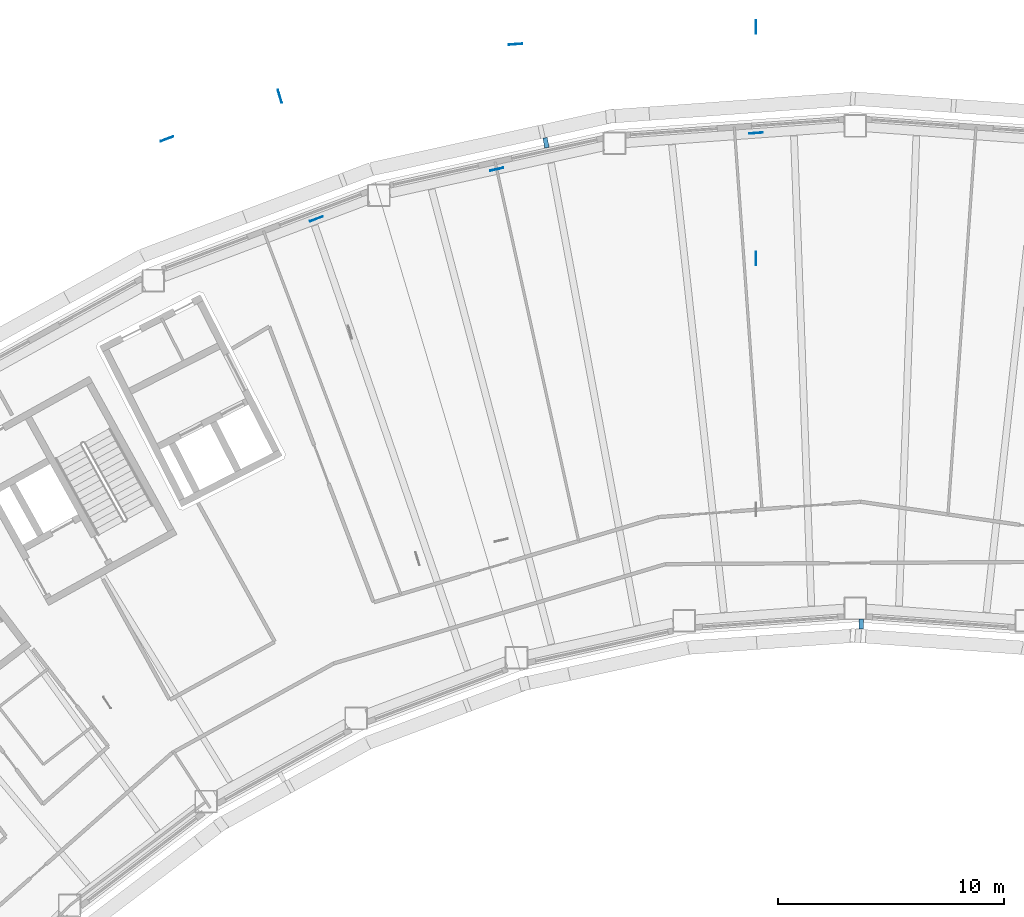
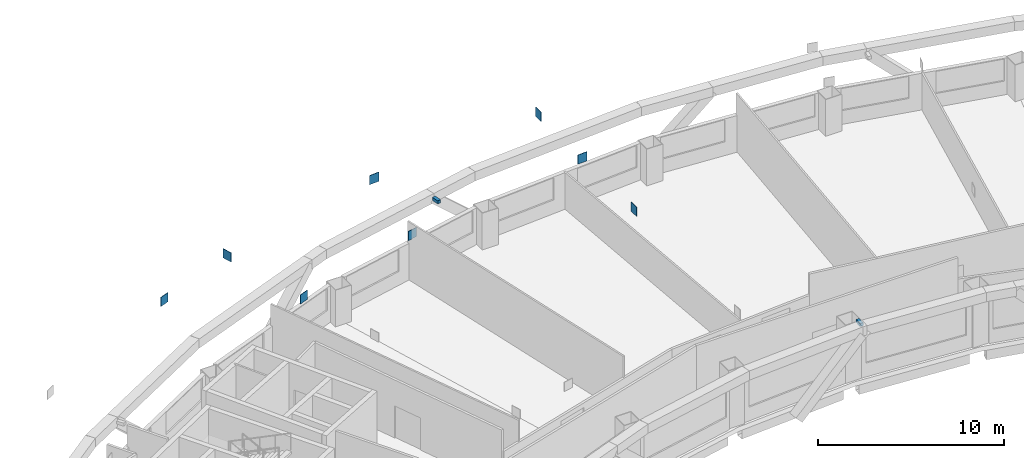
# One storey, part 12 of 19: 10 discrete accessories.
"""IFC4 building model written with IfcOpenShell, lengths in metres."""

from ifc_helpers import new_model, si_unit, direction, frame, origin, origin_2d, place, context, subcontext, project, spatial, rectangle, extrude, material, type_object, element, save


model = new_model("IFC4")

# Units and contexts
model_context = context("Model", 3, precision=1e-05, world=origin(), true_north=direction((0.0, 1.0)))
body_context = subcontext(model_context, "Body", "Model", "MODEL_VIEW")
ifc_project = project(units=[si_unit("LENGTHUNIT", "METRE"), si_unit("AREAUNIT", "SQUARE_METRE"), si_unit("VOLUMEUNIT", "CUBIC_METRE"), si_unit("PLANEANGLEUNIT", "RADIAN"), si_unit("MASSUNIT", "GRAM", prefix="KILO")], contexts=[model_context])

# Site, building, storey
site_placement = place(None, origin())
site = spatial("IfcSite", under=ifc_project, at=site_placement, CompositionType="ELEMENT")
building_placement = place(site_placement, origin())
building = spatial("IfcBuilding", under=site, at=building_placement, Name="Tuul Gate Civic Tower", CompositionType="ELEMENT")
storey_placement = place(building_placement, frame((0.0, 0.0, 163.39990234375)))
storey = spatial("IfcBuildingStorey", under=building, at=storey_placement, Name="Level 37", CompositionType="ELEMENT", Elevation=163.39990234375)

# Discrete accessories
ifc_material_1 = material(Name="Steel S355", Category="steel")
discrete_accessory_type_1 = type_object("IfcDiscreteAccessoryType", Name="Gusset plate", PredefinedType="BRACKET", material=ifc_material_1)
for number, where, z_axis, x_axis, name in (
    (1, (0.989990234375, 13.617919921875, 2.796630859375), (0.0, 0.0, 1.0), (0.0, -1.0, 0.0), "Gusset plate"),
    (2, (-20.08935546875, 10.54736328125, 2.796875), (0.0, 0.0, 1.0), (0.285212112775, -0.958464423297, 0.0), "Gusset plate"),
    (3, (0.989990234375, 3.36279296875, 2.796875), (0.0, 0.0, 1.0), (0.0, 1.0, 0.0), "Gusset plate"),
    (4, (-10.489013671875, 7.31103515625, 2.796875), (0.0, 0.0, 1.0), (0.976568946286, 0.215204770275, 0.0), "Gusset plate"),
    (5, (-9.66015625, 12.84423828125, 2.796875), (0.0, 0.0, 1.0), (0.997383034413, 0.072298566141, 0.0), "Gusset plate"),
    (6, (-18.470703125, 5.115234375, 2.796142578125), (0.0, 0.0, 1.0), (0.935344056956, 0.35373930389, 0.0), "Gusset plate"),
    (7, (-25.08056640625, 8.657958984375, 2.796875), (0.0, 0.0, 1.0), (0.93537504025, 0.353657368194, 0.0), "Gusset plate"),
    (8, (0.990234375, 8.914306640625, 2.796875), (0.0, 0.0, 1.0), (0.997382544793, 0.072305320295, 0.0), "Gusset plate"),
):
    element("IfcDiscreteAccessory", number, at=place(storey_placement, frame(where, z_axis=z_axis, x_axis=x_axis)), inside=storey, type_object=discrete_accessory_type_1, Name=name, PredefinedType="BRACKET", context=body_context, shape_type="SweptSolid", body=[
        extrude(rectangle(XDim=0.60009765625, YDim=0.030029296875, at=origin_2d()), origin(), (0.0, 0.0, 1.0), 0.60009765625),
    ])
ifc_material_2 = material(Name="Stainless steel", Category="steel")
discrete_accessory_type_2 = type_object("IfcDiscreteAccessoryType", Name="Screen bracket", PredefinedType="BRACKET", material=ifc_material_2)
discrete_accessory_1_placement = place(storey_placement, frame((-8.30810546875, 8.4833984375, 3.75), z_axis=(0.0, 0.0, 1.0), x_axis=(-0.183858710322, 0.98295268179, 0.0)))
element("IfcDiscreteAccessory", 9, at=discrete_accessory_1_placement, inside=storey, type_object=discrete_accessory_type_2, Name="Screen bracket 11", PredefinedType="BRACKET", context=body_context, shape_type="SweptSolid", body=[
    extrude(rectangle(XDim=0.4501953125, YDim=0.199951171875, at=origin_2d()), origin(), (0.0, 0.0, 1.0), 0.199951171875),
])
discrete_accessory_2_placement = place(storey_placement, frame((5.638916015625, -12.81982421875, 3.75), z_axis=(0.0, 0.0, 1.0), x_axis=(-0.0051085565, -0.99998695124, 0.0)))
element("IfcDiscreteAccessory", 10, at=discrete_accessory_2_placement, inside=storey, type_object=discrete_accessory_type_2, Name="Screen bracket 26", PredefinedType="BRACKET", context=body_context, shape_type="SweptSolid", body=[
    extrude(rectangle(XDim=0.450927734375, YDim=0.199951171875, at=origin_2d()), origin(), (0.0, 0.0, 1.0), 0.199951171875),
])

save(model, "model.ifc")
